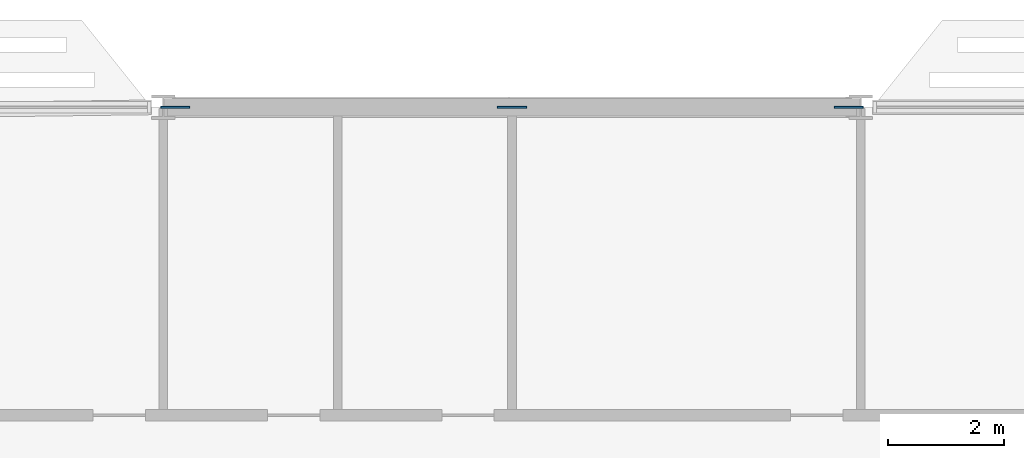
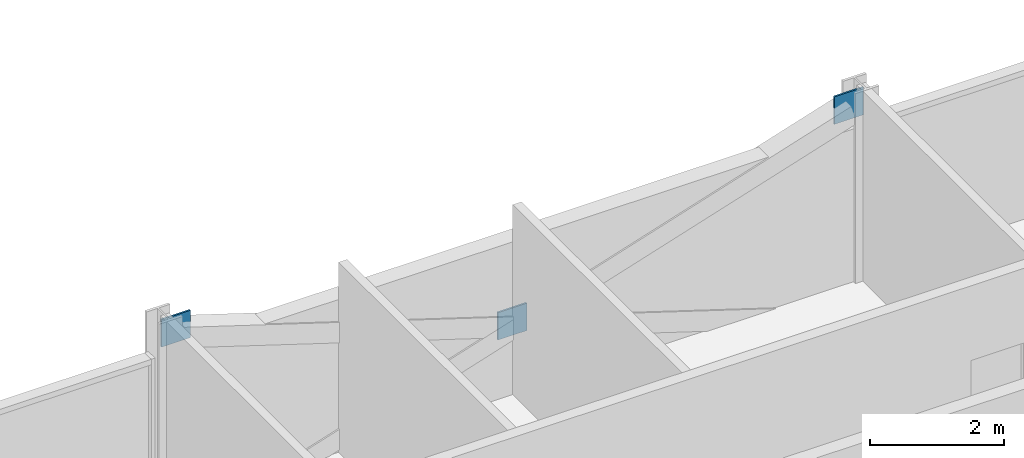
# One storey, part 19 of 27: 3 discrete accessories.
"""IFC4 building model written with IfcOpenShell, lengths in metres."""

import ifcopenshell
import ifcopenshell.guid

model = None  # the IFC model being written
_history = None  # IfcOwnerHistory: only IFC2X3 demands one
_inside = {}  # id of a spatial element -> (the spatial element, [elements in it])
_under = {}  # id of a project, library or spatial element -> (it, [spatial elements below it])
_declared = {}  # id of a project -> (the project, [libraries it declares])
_typed = {}  # id of a type object -> (the type object, [elements of that type])
_made_of = {}  # id of a material, layer set ... -> (it, [elements and type objects made of it])


def new_model(schema):
    """Start an empty IFC model of exactly this schema.

    Asked for "IFC4X3", IfcOpenShell would pick the latest addendum, in which some entities
    have other attributes; the version numbers below select the first issue.
    IFC2X3 requires an IfcOwnerHistory on every rooted entity: one is made here for all.
    """
    global model, _history
    if schema == "IFC4X3":
        model = ifcopenshell.file(schema_version=(4, 3, 0, 0))
    else:
        model = ifcopenshell.file(schema=schema)
    _inside.clear()
    _under.clear()
    _declared.clear()
    _typed.clear()
    _made_of.clear()
    _history = None
    if model.schema == "IFC2X3":
        org = make("IfcOrganization", Name="unknown")
        user = make(
            "IfcPersonAndOrganization",
            ThePerson=make("IfcPerson", FamilyName="unknown"),
            TheOrganization=org,
        )
        app = make(
            "IfcApplication",
            ApplicationDeveloper=org,
            Version="unknown",
            ApplicationFullName="unknown",
            ApplicationIdentifier="unknown",
        )
        _history = make(
            "IfcOwnerHistory",
            OwningUser=user,
            OwningApplication=app,
            ChangeAction="ADDED",
            CreationDate=0,
        )
    return model


def make(cls, **values):
    """One entity of the class cls with the attributes given. An attribute that is None is left unset."""
    return model.create_entity(
        cls, **{name: value for name, value in values.items() if value is not None}
    )


def rooted(cls, **values):
    """An entity with a GlobalId (a new one), such as an element, a storey or a relation."""
    return make(cls, GlobalId=ifcopenshell.guid.new(), OwnerHistory=_history, **values)


def si_unit(unit_type, name, prefix=None):
    """IfcSIUnit, for example si_unit("LENGTHUNIT", "METRE", prefix="MILLI")."""
    return make("IfcSIUnit", UnitType=unit_type, Prefix=prefix, Name=name)


def assignment(units):
    """IfcUnitAssignment: the units of a project."""
    return None if units is None else make("IfcUnitAssignment", Units=units)


def point(xyz):
    """IfcCartesianPoint."""
    return None if xyz is None else make("IfcCartesianPoint", Coordinates=xyz)


def direction(xyz):
    """IfcDirection."""
    return None if xyz is None else make("IfcDirection", DirectionRatios=xyz)


def frame(location, z_axis=None, x_axis=None):
    """IfcAxis2Placement3D, a coordinate frame: its origin and axes. An axis left out is left unset."""
    return make(
        "IfcAxis2Placement3D",
        Location=point(location),
        Axis=direction(z_axis),
        RefDirection=direction(x_axis),
    )


def frame_2d(location, x_axis=None):
    """IfcAxis2Placement2D, a coordinate frame in the plane: its origin and x axis."""
    return make(
        "IfcAxis2Placement2D", Location=point(location), RefDirection=direction(x_axis)
    )


def origin():
    """The frame at (0, 0, 0) with its axes left unset."""
    return frame((0.0, 0.0, 0.0))


def origin_2d():
    """The frame at (0, 0) in the plane with its x axis left unset."""
    return frame_2d((0.0, 0.0))


def place(relative_to, where):
    """IfcLocalPlacement: puts the frame where relative to a parent placement (None: the world)."""
    return make(
        "IfcLocalPlacement", PlacementRelTo=relative_to, RelativePlacement=where
    )


def context(
    kind, dimensions, precision=None, world=None, true_north=None, identifier=None
):
    """IfcGeometricRepresentationContext, for example the 3D "Model" context."""
    return make(
        "IfcGeometricRepresentationContext",
        ContextIdentifier=identifier,
        ContextType=kind,
        CoordinateSpaceDimension=dimensions,
        Precision=precision,
        WorldCoordinateSystem=world,
        TrueNorth=true_north,
    )


def subcontext(parent, identifier, kind, view, scale=None):
    """IfcGeometricRepresentationSubContext, for example "Body" below "Model"."""
    return make(
        "IfcGeometricRepresentationSubContext",
        ContextIdentifier=identifier,
        ContextType=kind,
        ParentContext=parent,
        TargetScale=scale,
        TargetView=view,
    )


def project(units=None, contexts=None):
    """IfcProject with its units and contexts."""
    return rooted(
        "IfcProject",
        Name="project",
        RepresentationContexts=contexts,
        UnitsInContext=assignment(units),
    )


def spatial(cls, under=None, at=None, **own):
    """A site, building, storey or space (cls), placed at a placement, below another one or the project."""
    s = rooted(cls, ObjectPlacement=at, **own)
    if under is not None:
        _under.setdefault(under.id(), (under, []))[1].append(s)
    return s


def profile(cls, at=None, kind="AREA", **sizes):
    """A parametric profile (cls). Its sizes go by their IFC names, for example OverallWidth=200.0."""
    return make(cls, ProfileType=kind, Position=at, **sizes)


def rectangle(**sizes):
    """IfcRectangleProfileDef."""
    return profile("IfcRectangleProfileDef", **sizes)


def extrude(swept, where, along, depth):
    """IfcExtrudedAreaSolid: the profile swept, set in the frame where, extruded along a direction by depth."""
    return make(
        "IfcExtrudedAreaSolid",
        SweptArea=swept,
        Position=where,
        ExtrudedDirection=direction(along),
        Depth=depth,
    )


def shape(context_of_items, identifier, shape_type, items):
    """IfcShapeRepresentation: the items that make up one representation, for example the "Body"."""
    return make(
        "IfcShapeRepresentation",
        ContextOfItems=context_of_items,
        RepresentationIdentifier=identifier,
        RepresentationType=shape_type,
        Items=items,
    )


def material(Name=None, Category=None):
    """IfcMaterial."""
    return make("IfcMaterial", Name=Name, Category=Category)


def layer(
    of_material, thickness, ventilated=None, Name=None, Category=None, Priority=None
):
    """IfcMaterialLayer: one layer of a wall or slab, of a material (None: an air gap)."""
    return make(
        "IfcMaterialLayer",
        Material=of_material,
        LayerThickness=thickness,
        IsVentilated=ventilated,
        Name=Name,
        Category=Category,
        Priority=Priority,
    )


def layer_set(layers, Name=None):
    """IfcMaterialLayerSet."""
    return make("IfcMaterialLayerSet", MaterialLayers=layers, LayerSetName=Name)


def made_of(thing, what):
    """Note that an element or type object is made of a material, layer set ...; save() writes the relation."""
    if what is not None:
        _made_of.setdefault(what.id(), (what, []))[1].append(thing)
    return thing


def type_object(cls, material=None, **own):
    """A type object (cls), such as IfcWallType, which elements share."""
    return made_of(rooted(cls, **own), material)


def element(
    cls,
    number,
    at=None,
    inside=None,
    cuts=None,
    type_object=None,
    material=None,
    context=None,
    identifier="Body",
    shape_type=None,
    held_by="IfcProductDefinitionShape",
    body=None,
    shapes=None,
    **own,
):
    """One element of the class cls, such as IfcWall. Its Tag is "e" and its number.

    at: its placement. inside: the storey or other place that contains it. cuts: it is an
    opening in that element (IfcRelVoidsElement). A single representation is given by context,
    identifier, shape_type and body (its items); several are given by shapes. held_by: the class
    of the entity that holds the representations. save() writes the other relations.
    """
    e = rooted(cls, Tag="e%d" % number, ObjectPlacement=at, **own)
    if body is not None:
        shapes = [shape(context, identifier, shape_type, body)]
    if shapes is not None:
        e.Representation = make(held_by, Representations=shapes)
    if inside is not None:
        _inside.setdefault(inside.id(), (inside, []))[1].append(e)
    if cuts is not None:
        rooted(
            "IfcRelVoidsElement", RelatingBuildingElement=cuts, RelatedOpeningElement=e
        )
    if type_object is not None:
        _typed.setdefault(type_object.id(), (type_object, []))[1].append(e)
    return made_of(e, material)


def aggregate(whole, parts):
    """IfcRelAggregates: a whole, such as a stair, and the parts it consists of."""
    return rooted("IfcRelAggregates", RelatingObject=whole, RelatedObjects=parts)


def save(model, path):
    """Write the relations noted so far, then the file.

    IfcRelAggregates (storeys below a building ...), IfcRelContainedInSpatialStructure (elements
    in a storey), IfcRelDefinesByType, IfcRelAssociatesMaterial and IfcRelDeclares: one each for
    every whole, place, type object, material and project.
    """
    for whole, parts in _under.values():
        aggregate(whole, parts)
    for where, things in _inside.values():
        rooted(
            "IfcRelContainedInSpatialStructure",
            RelatedElements=things,
            RelatingStructure=where,
        )
    for kind, things in _typed.values():
        rooted("IfcRelDefinesByType", RelatedObjects=things, RelatingType=kind)
    for what, things in _made_of.values():
        rooted("IfcRelAssociatesMaterial", RelatedObjects=things, RelatingMaterial=what)
    for by, libraries in _declared.values():
        rooted("IfcRelDeclares", RelatingContext=by, RelatedDefinitions=libraries)
    model.write(path)


model = new_model("IFC4")

# Units and contexts
model_context = context("Model", 3, precision=1e-05, world=origin(), true_north=direction((0.0, 1.0)))
body_context = subcontext(model_context, "Body", "Model", "MODEL_VIEW")
ifc_project = project(units=[si_unit("LENGTHUNIT", "METRE"), si_unit("AREAUNIT", "SQUARE_METRE"), si_unit("VOLUMEUNIT", "CUBIC_METRE"), si_unit("PLANEANGLEUNIT", "RADIAN"), si_unit("MASSUNIT", "GRAM", prefix="KILO")], contexts=[model_context])

# Site, building, storey
site_placement = place(None, origin())
site = spatial("IfcSite", under=ifc_project, at=site_placement, CompositionType="ELEMENT")
building_placement = place(site_placement, origin())
building = spatial("IfcBuilding", under=site, at=building_placement, Name="Mahtab Terrace Research Tower", CompositionType="ELEMENT")
storey_placement = place(building_placement, frame((0.0, 0.0, 166.800048828125)))
storey = spatial("IfcBuildingStorey", under=building, at=storey_placement, Name="L39", CompositionType="ELEMENT", Elevation=166.800048828125)

# Discrete accessories
ifc_material = material(Name="Steel ASTM A992 Gr 50", Category="steel")
ifc_layer = layer(ifc_material, 0.030029296875)
ifc_layer_set = layer_set([ifc_layer], Name="Gusset plate 500x500x30")
discrete_accessory_type = type_object("IfcDiscreteAccessoryType", Name="Gusset plate 500x500x30", PredefinedType="USERDEFINED", material=ifc_layer_set)
for number, where, z_axis, x_axis, name in (
    (1, (-29.796875, 23.0, 2.870849609375), (0.0, 0.0, 1.0), (1.0, 0.0, 0.0), "Gusset plate"),
    (2, (-24.0, 23.0, 0.970947265625), (0.0, 0.0, 1.0), (1.0, 0.0, 0.0), "Gusset plate"),
    (3, (-18.203125, 23.0, 2.870849609375), (0.0, 0.0, 1.0), (1.0, 0.0, 0.0), "Gusset plate"),
):
    element("IfcDiscreteAccessory", number, at=place(storey_placement, frame(where, z_axis=z_axis, x_axis=x_axis)), inside=storey, type_object=discrete_accessory_type, Name=name, ObjectType="GUSSET PLATE", PredefinedType="USERDEFINED", context=body_context, shape_type="SweptSolid", body=[
        extrude(rectangle(XDim=0.5, YDim=0.030029296875, at=origin_2d()), origin(), (0.0, 0.0, 1.0), 0.5),
    ])

save(model, "model.ifc")
